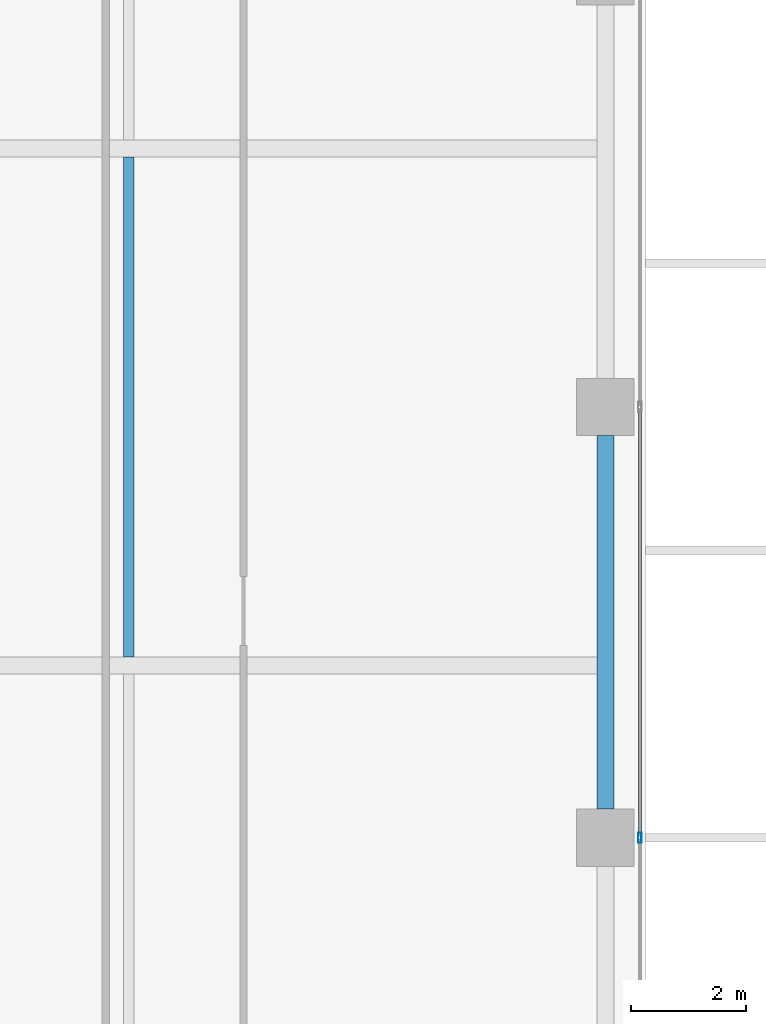
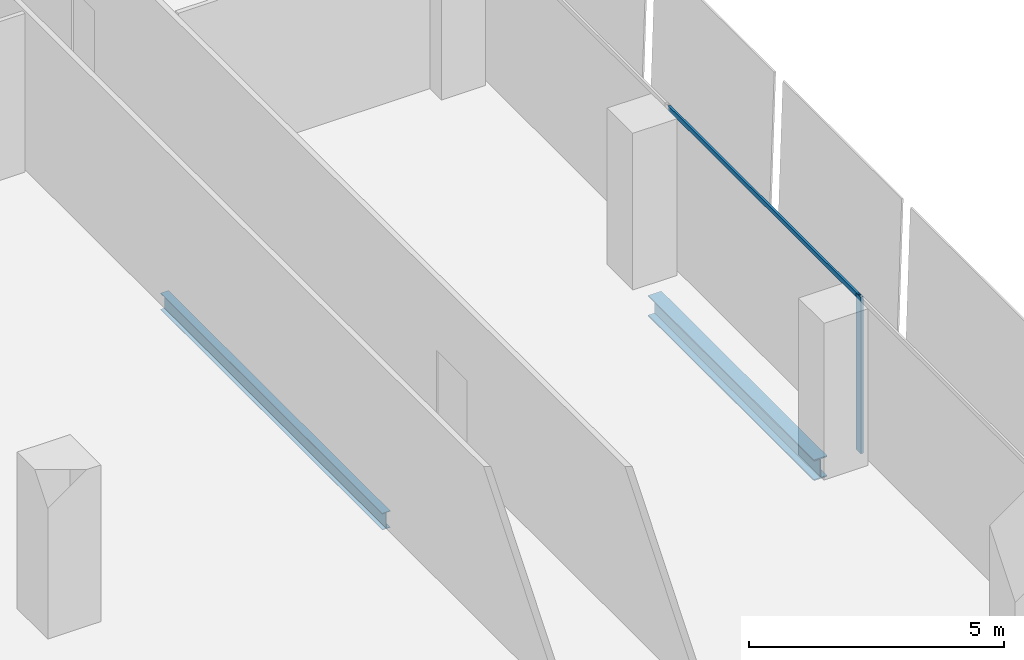
# One storey, part 14 of 38: 2 beams, 2 members, 1 element without a shape of its own.
"""IFC4 building model written with IfcOpenShell, lengths in metres."""

from ifc_helpers import new_model, si_unit, direction, frame, origin, origin_2d, place, context, subcontext, project, spatial, hollow_rectangle, i_section, extrude, source, transform, mapped, material, material_profile, profile_set, type_object, element, aggregate, save


model = new_model("IFC4")

# Units and contexts
model_context = context("Model", 3, precision=1e-05, world=origin(), true_north=direction((0.0, 1.0)))
body_context = subcontext(model_context, "Body", "Model", "MODEL_VIEW")
ifc_project = project(units=[si_unit("LENGTHUNIT", "METRE"), si_unit("AREAUNIT", "SQUARE_METRE"), si_unit("VOLUMEUNIT", "CUBIC_METRE"), si_unit("PLANEANGLEUNIT", "RADIAN"), si_unit("MASSUNIT", "GRAM", prefix="KILO")], contexts=[model_context])

# Site, building, storey
site_placement = place(None, origin())
site = spatial("IfcSite", under=ifc_project, at=site_placement, CompositionType="ELEMENT")
building_placement = place(site_placement, origin())
building = spatial("IfcBuilding", under=site, at=building_placement, Name="Khomas Fold Tower", CompositionType="ELEMENT")
storey_placement = place(building_placement, frame((0.0, 0.0, 208.699951171875)))
storey = spatial("IfcBuildingStorey", under=building, at=storey_placement, Name="L46", CompositionType="ELEMENT", Elevation=208.699951171875)

# Beams
ifc_material_1 = material(Name="Steel S355", Category="steel")
ifc_material_profile_1 = material_profile(ifc_material_1, i_section(OverallWidth=0.179931640625, OverallDepth=0.39990234375, WebThickness=0.008544921875, FlangeThickness=0.013427734375, at=origin_2d()), Name="IPE 400")
ifc_profile_set_1 = profile_set([ifc_material_profile_1], Name="Steel S355")
beam_type_1 = type_object("IfcBeamType", Name="IPE 400 beam JB3", PredefinedType="BEAM", material=ifc_profile_set_1)
shared_shape_1 = source(origin(), body_context, "Body", "SweptSolid", [
    extrude(i_section(OverallWidth=0.179931640625, OverallDepth=0.39990234375, WebThickness=0.008544921875, FlangeThickness=0.013427734375, at=origin_2d()), origin(), (0.0, 0.0, 1.0), 8.7001953125),
])
beam_1_placement = place(storey_placement, frame((42.0, 22.64990234375, -0.449951171875), z_axis=(0.0, 1.0, 0.0), x_axis=(-1.0, 0.0, 0.0)))
element("IfcBeam", 1, at=beam_1_placement, inside=storey, type_object=beam_type_1, Name="JB3", PredefinedType="BEAM", context=body_context, shape_type="MappedRepresentation", body=[
    mapped(shared_shape_1, transform((0.0, 0.0, 0.0))),
])
ifc_material_2 = material(Name="Steel S355", Category="steel")
ifc_material_profile_2 = material_profile(ifc_material_2, i_section(OverallWidth=0.300048828125, OverallDepth=0.5, WebThickness=0.014404296875, FlangeThickness=0.028076171875, at=origin_2d()), Name="HE 500 B")
ifc_profile_set_2 = profile_set([ifc_material_profile_2], Name="Steel S355")
beam_type_2 = type_object("IfcBeamType", Name="HE 500 B spandrel SB3", PredefinedType="SPANDREL", material=ifc_profile_set_2)
shared_shape_2 = source(origin(), body_context, "Body", "SweptSolid", [
    extrude(i_section(OverallWidth=0.300048828125, OverallDepth=0.5, WebThickness=0.014404296875, FlangeThickness=0.028076171875, at=origin_2d()), origin(), (0.0, 0.0, 1.0), 6.5),
])
beam_2_placement = place(storey_placement, frame((50.300048828125, 20.0, -0.5), z_axis=(0.0, 1.0, 0.0), x_axis=(-1.0, 0.0, 0.0)))
element("IfcBeam", 2, at=beam_2_placement, inside=storey, type_object=beam_type_2, Name="SB3", PredefinedType="SPANDREL", context=body_context, shape_type="MappedRepresentation", body=[
    mapped(shared_shape_2, transform((0.0, 0.0, 0.0))),
])

# Curtain wall, members
ifc_material_3 = material(Name="Aluminium framed double glazing", Category="aluminium")
curtain_wall_type = type_object("IfcCurtainWallType", Name="SK-Unitised clear-glass wall, office floors CW2", PredefinedType="NOTDEFINED", material=ifc_material_3)
curtain_wall_placement = place(storey_placement, origin())
curtain_wall = element("IfcCurtainWall", 3, at=curtain_wall_placement, inside=storey, type_object=curtain_wall_type, Name="CW2 run L46 03-0", PredefinedType="NOTDEFINED")
ifc_material_4 = material(Name="Aluminium", Category="aluminium")
ifc_material_profile_3 = material_profile(ifc_material_4, hollow_rectangle(XDim=0.06005859375, YDim=0.179931640625, WallThickness=0.00390625, at=origin_2d()), Name="SK-Unitised clear-glass wall, office floors mullion CW2-M")
ifc_profile_set_3 = profile_set([ifc_material_profile_3], Name="Aluminium")
member_type_1 = type_object("IfcMemberType", Name="SK-Unitised clear-glass wall, office floors mullion CW2-M", PredefinedType="MULLION", material=ifc_profile_set_3)
shared_shape_3 = source(origin(), body_context, "Body", "SweptSolid", [
    extrude(hollow_rectangle(XDim=0.06005859375, YDim=0.179931640625, WallThickness=0.00390625, at=origin_2d()), origin(), (0.0, 0.0, 1.0), 3.75),
])
member_1_placement = place(storey_placement, frame((50.89990234375, 19.5, 0.0), z_axis=(0.0, 0.0, 1.0), x_axis=(-1.0, 0.0, 0.0)))
member_1 = element("IfcMember", 4, at=member_1_placement, type_object=member_type_1, Name="CW2 mullion 4", PredefinedType="MULLION", context=body_context, shape_type="MappedRepresentation", body=[
    mapped(shared_shape_3, transform((0.0, 0.0, 0.0))),
])
ifc_material_5 = material(Name="Aluminium", Category="aluminium")
ifc_material_profile_4 = material_profile(ifc_material_5, hollow_rectangle(XDim=0.050048828125, YDim=0.110107421875, WallThickness=0.00390625, at=origin_2d()), Name="SK-Unitised clear-glass wall, office floors transom CW2-T")
ifc_profile_set_4 = profile_set([ifc_material_profile_4], Name="Aluminium")
member_type_2 = type_object("IfcMemberType", Name="SK-Unitised clear-glass wall, office floors transom CW2-T", PredefinedType="USERDEFINED", material=ifc_profile_set_4)
shared_shape_4 = source(origin(), body_context, "Body", "SweptSolid", [
    extrude(hollow_rectangle(XDim=0.050048828125, YDim=0.110107421875, WallThickness=0.00390625, at=origin_2d()), origin(), (0.0, 0.0, 1.0), 7.43994140625),
])
member_2_placement = place(storey_placement, frame((50.89990234375, 19.530029296875, 3.695068359375), z_axis=(0.0, 1.0, 0.0), x_axis=(-1.0, 0.0, 0.0)))
member_2 = element("IfcMember", 5, at=member_2_placement, type_object=member_type_2, Name="CW2 transom 4", ObjectType="TRANSOM", PredefinedType="USERDEFINED", context=body_context, shape_type="MappedRepresentation", body=[
    mapped(shared_shape_4, transform((0.0, 0.0, 0.0))),
])
aggregate(curtain_wall, [member_1, member_2])

save(model, "model.ifc")
